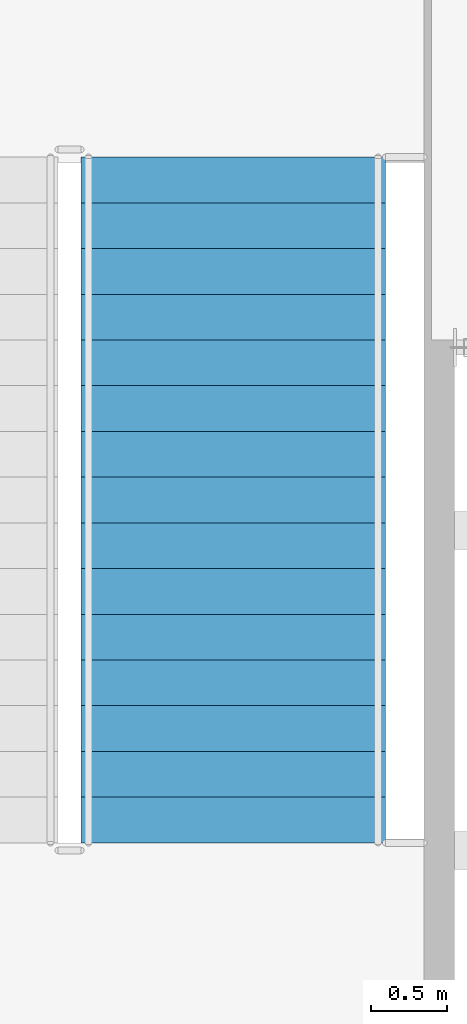
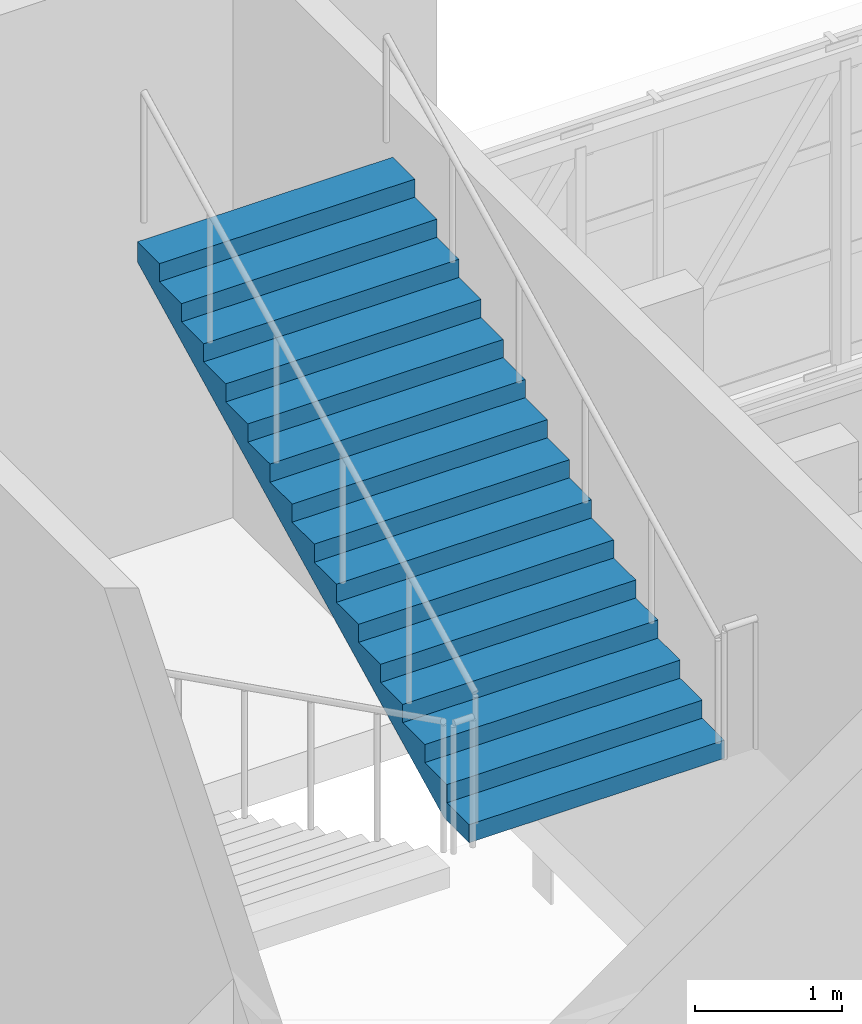
# One storey, part 61 of 91: 1 stair flight, 1 element without a shape of its own.
"""IFC4 building model written with IfcOpenShell, lengths in metres."""

from ifc_helpers import new_model, si_unit, direction, frame, origin, place, context, subcontext, project, spatial, faceted_brep, material, type_object, element, aggregate, save


model = new_model("IFC4")

# Units and contexts
model_context = context("Model", 3, precision=1e-05, world=origin(), true_north=direction((0.0, 1.0)))
body_context = subcontext(model_context, "Body", "Model", "MODEL_VIEW")
ifc_project = project(units=[si_unit("LENGTHUNIT", "METRE"), si_unit("AREAUNIT", "SQUARE_METRE"), si_unit("VOLUMEUNIT", "CUBIC_METRE"), si_unit("PLANEANGLEUNIT", "RADIAN"), si_unit("MASSUNIT", "GRAM", prefix="KILO")], contexts=[model_context])

# Site, building, storey
site_placement = place(None, origin())
site = spatial("IfcSite", under=ifc_project, at=site_placement, CompositionType="ELEMENT")
building_placement = place(site_placement, origin())
building = spatial("IfcBuilding", under=site, at=building_placement, Name="Kiln Court Media Centre", CompositionType="ELEMENT")
storey_placement = place(building_placement, frame((0.0, 0.0, 5.39990234375)))
storey = spatial("IfcBuildingStorey", under=building, at=storey_placement, Name="L01", CompositionType="ELEMENT", Elevation=5.39990234375)

# Stair, stair flight
ifc_material_1 = material(Name="Concrete C40/50", Category="concrete")
stair_type = type_object("IfcStairType", Name="Concrete C40/50 dog-leg stair 2000 wide, 150 riser", PredefinedType="HALF_TURN_STAIR", material=ifc_material_1)
stair_placement = place(storey_placement, origin())
stair = element("IfcStair", 1, at=stair_placement, inside=storey, type_object=stair_type, Name="ST-12 L01", PredefinedType="HALF_TURN_STAIR")
ifc_material_2 = material(Name="Concrete C40/50", Category="concrete")
stair_flight_type = type_object("IfcStairFlightType", Name="Concrete C40/50 stair flight 2000 wide, 150 riser, 300 going", PredefinedType="STRAIGHT", material=ifc_material_2)
stair_flight_placement = place(storey_placement, frame((99.35009765625, 59.89990234375, 2.400146484375), z_axis=(0.0, 0.0, 1.0), x_axis=(0.0, 1.0, 0.0)))
stair_flight = element("IfcStairFlight", 2, at=stair_flight_placement, type_object=stair_flight_type, Name="L01-ST-5011 flight 5023", NumberOfRisers=16, NumberOfTreads=15, PredefinedType="STRAIGHT", RiserHeight=0.15, TreadLength=0.3, context=body_context, shape_type="Brep", body=[
    faceted_brep([(0.335205078125, -1.0, 0.0), (4.5, -1.0, 2.08251953125), (4.5, -1.0, 2.25), (4.199951171875, -1.0, 2.25), (4.199951171875, -1.0, 2.10009765625), (3.89990234375, -1.0, 2.10009765625), (3.89990234375, -1.0, 1.949951171875), (3.60009765625, -1.0, 1.949951171875), (3.60009765625, -1.0, 1.800048828125), (3.300048828125, -1.0, 1.800048828125), (3.300048828125, -1.0, 1.64990234375), (3.0, -1.0, 1.64990234375), (3.0, -1.0, 1.5), (2.699951171875, -1.0, 1.5), (2.699951171875, -1.0, 1.35009765625), (2.39990234375, -1.0, 1.35009765625), (2.39990234375, -1.0, 1.199951171875), (2.10009765625, -1.0, 1.199951171875), (2.10009765625, -1.0, 1.050048828125), (1.800048828125, -1.0, 1.050048828125), (1.800048828125, -1.0, 0.89990234375), (1.5, -1.0, 0.89990234375), (1.5, -1.0, 0.75), (1.199951171875, -1.0, 0.75), (1.199951171875, -1.0, 0.60009765625), (0.89990234375, -1.0, 0.60009765625), (0.89990234375, -1.0, 0.449951171875), (0.60009765625, -1.0, 0.449951171875), (0.60009765625, -1.0, 0.300048828125), (0.300048828125, -1.0, 0.300048828125), (0.300048828125, -1.0, 0.14990234375), (0.0, -1.0, 0.14990234375), (0.0, -1.0, 0.0), (0.0, 1.0, 0.0), (0.0, 1.0, 0.14990234375), (0.300048828125, 1.0, 0.14990234375), (0.300048828125, 1.0, 0.300048828125), (0.60009765625, 1.0, 0.300048828125), (0.60009765625, 1.0, 0.449951171875), (0.89990234375, 1.0, 0.449951171875), (0.89990234375, 1.0, 0.60009765625), (1.199951171875, 1.0, 0.60009765625), (1.199951171875, 1.0, 0.75), (1.5, 1.0, 0.75), (1.5, 1.0, 0.89990234375), (1.800048828125, 1.0, 0.89990234375), (1.800048828125, 1.0, 1.050048828125), (2.10009765625, 1.0, 1.050048828125), (2.10009765625, 1.0, 1.199951171875), (2.39990234375, 1.0, 1.199951171875), (2.39990234375, 1.0, 1.35009765625), (2.699951171875, 1.0, 1.35009765625), (2.699951171875, 1.0, 1.5), (3.0, 1.0, 1.5), (3.0, 1.0, 1.64990234375), (3.300048828125, 1.0, 1.64990234375), (3.300048828125, 1.0, 1.800048828125), (3.60009765625, 1.0, 1.800048828125), (3.60009765625, 1.0, 1.949951171875), (3.89990234375, 1.0, 1.949951171875), (3.89990234375, 1.0, 2.10009765625), (4.199951171875, 1.0, 2.10009765625), (4.199951171875, 1.0, 2.25), (4.5, 1.0, 2.25), (4.5, 1.0, 2.08251953125), (0.335205078125, 1.0, 0.0), (4.5, 0.10009765625, 2.08251953125), (0.335205078125, 0.10009765625, 0.0), (4.5, 0.080078125, 2.08251953125), (0.335205078125, 0.080078125, 0.0), (4.5, 0.06005859375, 2.08251953125), (0.335205078125, 0.06005859375, 0.0), (4.5, 0.0400390625, 2.08251953125), (0.335205078125, 0.0400390625, 0.0), (4.5, 0.02001953125, 2.08251953125), (0.335205078125, 0.02001953125, 0.0), (4.5, 0.0, 2.08251953125), (0.335205078125, 0.0, 0.0), (4.5, -0.02001953125, 2.08251953125), (0.335205078125, -0.02001953125, 0.0), (4.5, -0.0400390625, 2.08251953125), (0.335205078125, -0.0400390625, 0.0), (4.5, -0.06005859375, 2.08251953125), (0.335205078125, -0.06005859375, 0.0), (4.5, -0.080078125, 2.08251953125), (0.335205078125, -0.080078125, 0.0), (4.5, -0.10009765625, 2.08251953125), (0.335205078125, -0.10009765625, 0.0), (4.5, 0.10009765625, 2.25), (4.5, 0.080078125, 2.25), (4.5, 0.06005859375, 2.25), (4.5, 0.0400390625, 2.25), (4.5, 0.02001953125, 2.25), (4.5, 0.0, 2.25), (4.5, -0.02001953125, 2.25), (4.5, -0.0400390625, 2.25), (4.5, -0.06005859375, 2.25), (4.5, -0.080078125, 2.25), (4.5, -0.10009765625, 2.25), (4.199951171875, 0.10009765625, 2.25), (4.199951171875, 0.080078125, 2.25), (4.199951171875, 0.06005859375, 2.25), (4.199951171875, 0.0400390625, 2.25), (4.199951171875, 0.02001953125, 2.25), (4.199951171875, 0.0, 2.25), (4.199951171875, -0.02001953125, 2.25), (4.199951171875, -0.0400390625, 2.25), (4.199951171875, -0.06005859375, 2.25), (4.199951171875, -0.080078125, 2.25), (4.199951171875, -0.10009765625, 2.25), (4.199951171875, 0.10009765625, 2.10009765625), (4.199951171875, 0.080078125, 2.10009765625), (4.199951171875, 0.06005859375, 2.10009765625), (4.199951171875, 0.0400390625, 2.10009765625), (4.199951171875, 0.02001953125, 2.10009765625), (4.199951171875, 0.0, 2.10009765625), (4.199951171875, -0.02001953125, 2.10009765625), (4.199951171875, -0.0400390625, 2.10009765625), (4.199951171875, -0.06005859375, 2.10009765625), (4.199951171875, -0.080078125, 2.10009765625), (4.199951171875, -0.10009765625, 2.10009765625), (3.89990234375, 0.10009765625, 2.10009765625), (3.89990234375, 0.080078125, 2.10009765625), (3.89990234375, 0.06005859375, 2.10009765625), (3.89990234375, 0.0400390625, 2.10009765625), (3.89990234375, 0.02001953125, 2.10009765625), (3.89990234375, 0.0, 2.10009765625), (3.89990234375, -0.02001953125, 2.10009765625), (3.89990234375, -0.0400390625, 2.10009765625), (3.89990234375, -0.06005859375, 2.10009765625), (3.89990234375, -0.080078125, 2.10009765625), (3.89990234375, -0.10009765625, 2.10009765625), (3.89990234375, 0.10009765625, 1.949951171875), (3.89990234375, 0.080078125, 1.949951171875), (3.89990234375, 0.06005859375, 1.949951171875), (3.89990234375, 0.0400390625, 1.949951171875), (3.89990234375, 0.02001953125, 1.949951171875), (3.89990234375, 0.0, 1.949951171875), (3.89990234375, -0.02001953125, 1.949951171875), (3.89990234375, -0.0400390625, 1.949951171875), (3.89990234375, -0.06005859375, 1.949951171875), (3.89990234375, -0.080078125, 1.949951171875), (3.89990234375, -0.10009765625, 1.949951171875), (3.60009765625, 0.10009765625, 1.949951171875), (3.60009765625, 0.080078125, 1.949951171875), (3.60009765625, 0.06005859375, 1.949951171875), (3.60009765625, 0.0400390625, 1.949951171875), (3.60009765625, 0.02001953125, 1.949951171875), (3.60009765625, 0.0, 1.949951171875), (3.60009765625, -0.02001953125, 1.949951171875), (3.60009765625, -0.0400390625, 1.949951171875), (3.60009765625, -0.06005859375, 1.949951171875), (3.60009765625, -0.080078125, 1.949951171875), (3.60009765625, -0.10009765625, 1.949951171875), (3.60009765625, 0.10009765625, 1.800048828125), (3.60009765625, 0.080078125, 1.800048828125), (3.60009765625, 0.06005859375, 1.800048828125), (3.60009765625, 0.0400390625, 1.800048828125), (3.60009765625, 0.02001953125, 1.800048828125), (3.60009765625, 0.0, 1.800048828125), (3.60009765625, -0.02001953125, 1.800048828125), (3.60009765625, -0.0400390625, 1.800048828125), (3.60009765625, -0.06005859375, 1.800048828125), (3.60009765625, -0.080078125, 1.800048828125), (3.60009765625, -0.10009765625, 1.800048828125), (3.300048828125, 0.10009765625, 1.800048828125), (3.300048828125, 0.080078125, 1.800048828125), (3.300048828125, 0.06005859375, 1.800048828125), (3.300048828125, 0.0400390625, 1.800048828125), (3.300048828125, 0.02001953125, 1.800048828125), (3.300048828125, 0.0, 1.800048828125), (3.300048828125, -0.02001953125, 1.800048828125), (3.300048828125, -0.0400390625, 1.800048828125), (3.300048828125, -0.06005859375, 1.800048828125), (3.300048828125, -0.080078125, 1.800048828125), (3.300048828125, -0.10009765625, 1.800048828125), (3.300048828125, 0.10009765625, 1.64990234375), (3.300048828125, 0.080078125, 1.64990234375), (3.300048828125, 0.06005859375, 1.64990234375), (3.300048828125, 0.0400390625, 1.64990234375), (3.300048828125, 0.02001953125, 1.64990234375), (3.300048828125, 0.0, 1.64990234375), (3.300048828125, -0.02001953125, 1.64990234375), (3.300048828125, -0.0400390625, 1.64990234375), (3.300048828125, -0.06005859375, 1.64990234375), (3.300048828125, -0.080078125, 1.64990234375), (3.300048828125, -0.10009765625, 1.64990234375), (3.0, 0.10009765625, 1.64990234375), (3.0, 0.080078125, 1.64990234375), (3.0, 0.06005859375, 1.64990234375), (3.0, 0.0400390625, 1.64990234375), (3.0, 0.02001953125, 1.64990234375), (3.0, 0.0, 1.64990234375), (3.0, -0.02001953125, 1.64990234375), (3.0, -0.0400390625, 1.64990234375), (3.0, -0.06005859375, 1.64990234375), (3.0, -0.080078125, 1.64990234375), (3.0, -0.10009765625, 1.64990234375), (3.0, 0.10009765625, 1.5), (3.0, 0.080078125, 1.5), (3.0, 0.06005859375, 1.5), (3.0, 0.0400390625, 1.5), (3.0, 0.02001953125, 1.5), (3.0, 0.0, 1.5), (3.0, -0.02001953125, 1.5), (3.0, -0.0400390625, 1.5), (3.0, -0.06005859375, 1.5), (3.0, -0.080078125, 1.5), (3.0, -0.10009765625, 1.5), (2.699951171875, 0.10009765625, 1.5), (2.699951171875, 0.080078125, 1.5), (2.699951171875, 0.06005859375, 1.5), (2.699951171875, 0.0400390625, 1.5), (2.699951171875, 0.02001953125, 1.5), (2.699951171875, 0.0, 1.5), (2.699951171875, -0.02001953125, 1.5), (2.699951171875, -0.0400390625, 1.5), (2.699951171875, -0.06005859375, 1.5), (2.699951171875, -0.080078125, 1.5), (2.699951171875, -0.10009765625, 1.5), (2.699951171875, 0.10009765625, 1.35009765625), (2.699951171875, 0.080078125, 1.35009765625), (2.699951171875, 0.06005859375, 1.35009765625), (2.699951171875, 0.0400390625, 1.35009765625), (2.699951171875, 0.02001953125, 1.35009765625), (2.699951171875, 0.0, 1.35009765625), (2.699951171875, -0.02001953125, 1.35009765625), (2.699951171875, -0.0400390625, 1.35009765625), (2.699951171875, -0.06005859375, 1.35009765625), (2.699951171875, -0.080078125, 1.35009765625), (2.699951171875, -0.10009765625, 1.35009765625), (2.39990234375, 0.10009765625, 1.35009765625), (2.39990234375, 0.080078125, 1.35009765625), (2.39990234375, 0.06005859375, 1.35009765625), (2.39990234375, 0.0400390625, 1.35009765625), (2.39990234375, 0.02001953125, 1.35009765625), (2.39990234375, 0.0, 1.35009765625), (2.39990234375, -0.02001953125, 1.35009765625), (2.39990234375, -0.0400390625, 1.35009765625), (2.39990234375, -0.06005859375, 1.35009765625), (2.39990234375, -0.080078125, 1.35009765625), (2.39990234375, -0.10009765625, 1.35009765625), (2.39990234375, 0.10009765625, 1.199951171875), (2.39990234375, 0.080078125, 1.199951171875), (2.39990234375, 0.06005859375, 1.199951171875), (2.39990234375, 0.0400390625, 1.199951171875), (2.39990234375, 0.02001953125, 1.199951171875), (2.39990234375, 0.0, 1.199951171875), (2.39990234375, -0.02001953125, 1.199951171875), (2.39990234375, -0.0400390625, 1.199951171875), (2.39990234375, -0.06005859375, 1.199951171875), (2.39990234375, -0.080078125, 1.199951171875), (2.39990234375, -0.10009765625, 1.199951171875), (2.10009765625, 0.10009765625, 1.199951171875), (2.10009765625, 0.080078125, 1.199951171875), (2.10009765625, 0.06005859375, 1.199951171875), (2.10009765625, 0.0400390625, 1.199951171875), (2.10009765625, 0.02001953125, 1.199951171875), (2.10009765625, 0.0, 1.199951171875), (2.10009765625, -0.02001953125, 1.199951171875), (2.10009765625, -0.0400390625, 1.199951171875), (2.10009765625, -0.06005859375, 1.199951171875), (2.10009765625, -0.080078125, 1.199951171875), (2.10009765625, -0.10009765625, 1.199951171875), (2.10009765625, 0.10009765625, 1.050048828125), (2.10009765625, 0.080078125, 1.050048828125), (2.10009765625, 0.06005859375, 1.050048828125), (2.10009765625, 0.0400390625, 1.050048828125), (2.10009765625, 0.02001953125, 1.050048828125), (2.10009765625, 0.0, 1.050048828125), (2.10009765625, -0.02001953125, 1.050048828125), (2.10009765625, -0.0400390625, 1.050048828125), (2.10009765625, -0.06005859375, 1.050048828125), (2.10009765625, -0.080078125, 1.050048828125), (2.10009765625, -0.10009765625, 1.050048828125), (1.800048828125, 0.10009765625, 1.050048828125), (1.800048828125, 0.080078125, 1.050048828125), (1.800048828125, 0.06005859375, 1.050048828125), (1.800048828125, 0.0400390625, 1.050048828125), (1.800048828125, 0.02001953125, 1.050048828125), (1.800048828125, 0.0, 1.050048828125), (1.800048828125, -0.02001953125, 1.050048828125), (1.800048828125, -0.0400390625, 1.050048828125), (1.800048828125, -0.06005859375, 1.050048828125), (1.800048828125, -0.080078125, 1.050048828125), (1.800048828125, -0.10009765625, 1.050048828125), (1.800048828125, 0.10009765625, 0.89990234375), (1.800048828125, 0.080078125, 0.89990234375), (1.800048828125, 0.06005859375, 0.89990234375), (1.800048828125, 0.0400390625, 0.89990234375), (1.800048828125, 0.02001953125, 0.89990234375), (1.800048828125, 0.0, 0.89990234375), (1.800048828125, -0.02001953125, 0.89990234375), (1.800048828125, -0.0400390625, 0.89990234375), (1.800048828125, -0.06005859375, 0.89990234375), (1.800048828125, -0.080078125, 0.89990234375), (1.800048828125, -0.10009765625, 0.89990234375), (1.5, 0.10009765625, 0.89990234375), (1.5, 0.080078125, 0.89990234375), (1.5, 0.06005859375, 0.89990234375), (1.5, 0.0400390625, 0.89990234375), (1.5, 0.02001953125, 0.89990234375), (1.5, 0.0, 0.89990234375), (1.5, -0.02001953125, 0.89990234375), (1.5, -0.0400390625, 0.89990234375), (1.5, -0.06005859375, 0.89990234375), (1.5, -0.080078125, 0.89990234375), (1.5, -0.10009765625, 0.89990234375), (1.5, 0.10009765625, 0.75), (1.5, 0.080078125, 0.75), (1.5, 0.06005859375, 0.75), (1.5, 0.0400390625, 0.75), (1.5, 0.02001953125, 0.75), (1.5, 0.0, 0.75), (1.5, -0.02001953125, 0.75), (1.5, -0.0400390625, 0.75), (1.5, -0.06005859375, 0.75), (1.5, -0.080078125, 0.75), (1.5, -0.10009765625, 0.75), (1.199951171875, 0.10009765625, 0.75), (1.199951171875, 0.080078125, 0.75), (1.199951171875, 0.06005859375, 0.75), (1.199951171875, 0.0400390625, 0.75), (1.199951171875, 0.02001953125, 0.75), (1.199951171875, 0.0, 0.75), (1.199951171875, -0.02001953125, 0.75), (1.199951171875, -0.0400390625, 0.75), (1.199951171875, -0.06005859375, 0.75), (1.199951171875, -0.080078125, 0.75), (1.199951171875, -0.10009765625, 0.75), (1.199951171875, 0.10009765625, 0.60009765625), (1.199951171875, 0.080078125, 0.60009765625), (1.199951171875, 0.06005859375, 0.60009765625), (1.199951171875, 0.0400390625, 0.60009765625), (1.199951171875, 0.02001953125, 0.60009765625), (1.199951171875, 0.0, 0.60009765625), (1.199951171875, -0.02001953125, 0.60009765625), (1.199951171875, -0.0400390625, 0.60009765625), (1.199951171875, -0.06005859375, 0.60009765625), (1.199951171875, -0.080078125, 0.60009765625), (1.199951171875, -0.10009765625, 0.60009765625), (0.89990234375, 0.10009765625, 0.60009765625), (0.89990234375, 0.080078125, 0.60009765625), (0.89990234375, 0.06005859375, 0.60009765625), (0.89990234375, 0.0400390625, 0.60009765625), (0.89990234375, 0.02001953125, 0.60009765625), (0.89990234375, 0.0, 0.60009765625), (0.89990234375, -0.02001953125, 0.60009765625), (0.89990234375, -0.0400390625, 0.60009765625), (0.89990234375, -0.06005859375, 0.60009765625), (0.89990234375, -0.080078125, 0.60009765625), (0.89990234375, -0.10009765625, 0.60009765625), (0.89990234375, 0.10009765625, 0.449951171875), (0.89990234375, 0.080078125, 0.449951171875), (0.89990234375, 0.06005859375, 0.449951171875), (0.89990234375, 0.0400390625, 0.449951171875), (0.89990234375, 0.02001953125, 0.449951171875), (0.89990234375, 0.0, 0.449951171875), (0.89990234375, -0.02001953125, 0.449951171875), (0.89990234375, -0.0400390625, 0.449951171875), (0.89990234375, -0.06005859375, 0.449951171875), (0.89990234375, -0.080078125, 0.449951171875), (0.89990234375, -0.10009765625, 0.449951171875), (0.60009765625, 0.10009765625, 0.449951171875), (0.60009765625, 0.080078125, 0.449951171875), (0.60009765625, 0.06005859375, 0.449951171875), (0.60009765625, 0.0400390625, 0.449951171875), (0.60009765625, 0.02001953125, 0.449951171875), (0.60009765625, 0.0, 0.449951171875), (0.60009765625, -0.02001953125, 0.449951171875), (0.60009765625, -0.0400390625, 0.449951171875), (0.60009765625, -0.06005859375, 0.449951171875), (0.60009765625, -0.080078125, 0.449951171875), (0.60009765625, -0.10009765625, 0.449951171875), (0.60009765625, 0.10009765625, 0.300048828125), (0.60009765625, 0.080078125, 0.300048828125), (0.60009765625, 0.06005859375, 0.300048828125), (0.60009765625, 0.0400390625, 0.300048828125), (0.60009765625, 0.02001953125, 0.300048828125), (0.60009765625, 0.0, 0.300048828125), (0.60009765625, -0.02001953125, 0.300048828125), (0.60009765625, -0.0400390625, 0.300048828125), (0.60009765625, -0.06005859375, 0.300048828125), (0.60009765625, -0.080078125, 0.300048828125), (0.60009765625, -0.10009765625, 0.300048828125), (0.300048828125, 0.10009765625, 0.300048828125), (0.300048828125, 0.080078125, 0.300048828125), (0.300048828125, 0.06005859375, 0.300048828125), (0.300048828125, 0.0400390625, 0.300048828125), (0.300048828125, 0.02001953125, 0.300048828125), (0.300048828125, 0.0, 0.300048828125), (0.300048828125, -0.02001953125, 0.300048828125), (0.300048828125, -0.0400390625, 0.300048828125), (0.300048828125, -0.06005859375, 0.300048828125), (0.300048828125, -0.080078125, 0.300048828125), (0.300048828125, -0.10009765625, 0.300048828125), (0.300048828125, 0.10009765625, 0.14990234375), (0.300048828125, 0.080078125, 0.14990234375), (0.300048828125, 0.06005859375, 0.14990234375), (0.300048828125, 0.0400390625, 0.14990234375), (0.300048828125, 0.02001953125, 0.14990234375), (0.300048828125, 0.0, 0.14990234375), (0.300048828125, -0.02001953125, 0.14990234375), (0.300048828125, -0.0400390625, 0.14990234375), (0.300048828125, -0.06005859375, 0.14990234375), (0.300048828125, -0.080078125, 0.14990234375), (0.300048828125, -0.10009765625, 0.14990234375), (0.0, 0.10009765625, 0.14990234375), (0.0, 0.080078125, 0.14990234375), (0.0, 0.06005859375, 0.14990234375), (0.0, 0.0400390625, 0.14990234375), (0.0, 0.02001953125, 0.14990234375), (0.0, 0.0, 0.14990234375), (0.0, -0.02001953125, 0.14990234375), (0.0, -0.0400390625, 0.14990234375), (0.0, -0.06005859375, 0.14990234375), (0.0, -0.080078125, 0.14990234375), (0.0, -0.10009765625, 0.14990234375), (0.0, 0.10009765625, 0.0), (0.0, 0.080078125, 0.0), (0.0, 0.06005859375, 0.0), (0.0, 0.0400390625, 0.0), (0.0, 0.02001953125, 0.0), (0.0, 0.0, 0.0), (0.0, -0.02001953125, 0.0), (0.0, -0.0400390625, 0.0), (0.0, -0.06005859375, 0.0), (0.0, -0.080078125, 0.0), (0.0, -0.10009765625, 0.0)], [[[0, 1, 2, 3, 4, 5, 6, 7, 8, 9, 10, 11, 12, 13, 14, 15, 16, 17, 18, 19, 20, 21, 22, 23, 24, 25, 26, 27, 28, 29, 30, 31, 32]], [[33, 34, 35, 36, 37, 38, 39, 40, 41, 42, 43, 44, 45, 46, 47, 48, 49, 50, 51, 52, 53, 54, 55, 56, 57, 58, 59, 60, 61, 62, 63, 64, 65]], [[65, 64, 66, 67]], [[67, 66, 68, 69]], [[69, 68, 70, 71]], [[71, 70, 72, 73]], [[73, 72, 74, 75]], [[75, 74, 76, 77]], [[77, 76, 78, 79]], [[79, 78, 80, 81]], [[81, 80, 82, 83]], [[83, 82, 84, 85]], [[85, 84, 86, 87]], [[87, 86, 1, 0]], [[64, 63, 88, 66]], [[66, 88, 89, 68]], [[68, 89, 90, 70]], [[70, 90, 91, 72]], [[72, 91, 92, 74]], [[74, 92, 93, 76]], [[76, 93, 94, 78]], [[78, 94, 95, 80]], [[80, 95, 96, 82]], [[82, 96, 97, 84]], [[84, 97, 98, 86]], [[86, 98, 2, 1]], [[63, 62, 99, 88]], [[88, 99, 100, 89]], [[89, 100, 101, 90]], [[90, 101, 102, 91]], [[91, 102, 103, 92]], [[92, 103, 104, 93]], [[93, 104, 105, 94]], [[94, 105, 106, 95]], [[95, 106, 107, 96]], [[96, 107, 108, 97]], [[97, 108, 109, 98]], [[98, 109, 3, 2]], [[62, 61, 110, 99]], [[99, 110, 111, 100]], [[100, 111, 112, 101]], [[101, 112, 113, 102]], [[102, 113, 114, 103]], [[103, 114, 115, 104]], [[104, 115, 116, 105]], [[105, 116, 117, 106]], [[106, 117, 118, 107]], [[107, 118, 119, 108]], [[108, 119, 120, 109]], [[109, 120, 4, 3]], [[61, 60, 121, 110]], [[110, 121, 122, 111]], [[111, 122, 123, 112]], [[112, 123, 124, 113]], [[113, 124, 125, 114]], [[114, 125, 126, 115]], [[115, 126, 127, 116]], [[116, 127, 128, 117]], [[117, 128, 129, 118]], [[118, 129, 130, 119]], [[119, 130, 131, 120]], [[120, 131, 5, 4]], [[60, 59, 132, 121]], [[121, 132, 133, 122]], [[122, 133, 134, 123]], [[123, 134, 135, 124]], [[124, 135, 136, 125]], [[125, 136, 137, 126]], [[126, 137, 138, 127]], [[127, 138, 139, 128]], [[128, 139, 140, 129]], [[129, 140, 141, 130]], [[130, 141, 142, 131]], [[131, 142, 6, 5]], [[59, 58, 143, 132]], [[132, 143, 144, 133]], [[133, 144, 145, 134]], [[134, 145, 146, 135]], [[135, 146, 147, 136]], [[136, 147, 148, 137]], [[137, 148, 149, 138]], [[138, 149, 150, 139]], [[139, 150, 151, 140]], [[140, 151, 152, 141]], [[141, 152, 153, 142]], [[142, 153, 7, 6]], [[58, 57, 154, 143]], [[143, 154, 155, 144]], [[144, 155, 156, 145]], [[145, 156, 157, 146]], [[146, 157, 158, 147]], [[147, 158, 159, 148]], [[148, 159, 160, 149]], [[149, 160, 161, 150]], [[150, 161, 162, 151]], [[151, 162, 163, 152]], [[152, 163, 164, 153]], [[153, 164, 8, 7]], [[57, 56, 165, 154]], [[154, 165, 166, 155]], [[155, 166, 167, 156]], [[156, 167, 168, 157]], [[157, 168, 169, 158]], [[158, 169, 170, 159]], [[159, 170, 171, 160]], [[160, 171, 172, 161]], [[161, 172, 173, 162]], [[162, 173, 174, 163]], [[163, 174, 175, 164]], [[164, 175, 9, 8]], [[56, 55, 176, 165]], [[165, 176, 177, 166]], [[166, 177, 178, 167]], [[167, 178, 179, 168]], [[168, 179, 180, 169]], [[169, 180, 181, 170]], [[170, 181, 182, 171]], [[171, 182, 183, 172]], [[172, 183, 184, 173]], [[173, 184, 185, 174]], [[174, 185, 186, 175]], [[175, 186, 10, 9]], [[55, 54, 187, 176]], [[176, 187, 188, 177]], [[177, 188, 189, 178]], [[178, 189, 190, 179]], [[179, 190, 191, 180]], [[180, 191, 192, 181]], [[181, 192, 193, 182]], [[182, 193, 194, 183]], [[183, 194, 195, 184]], [[184, 195, 196, 185]], [[185, 196, 197, 186]], [[186, 197, 11, 10]], [[54, 53, 198, 187]], [[187, 198, 199, 188]], [[188, 199, 200, 189]], [[189, 200, 201, 190]], [[190, 201, 202, 191]], [[191, 202, 203, 192]], [[192, 203, 204, 193]], [[193, 204, 205, 194]], [[194, 205, 206, 195]], [[195, 206, 207, 196]], [[196, 207, 208, 197]], [[197, 208, 12, 11]], [[53, 52, 209, 198]], [[198, 209, 210, 199]], [[199, 210, 211, 200]], [[200, 211, 212, 201]], [[201, 212, 213, 202]], [[202, 213, 214, 203]], [[203, 214, 215, 204]], [[204, 215, 216, 205]], [[205, 216, 217, 206]], [[206, 217, 218, 207]], [[207, 218, 219, 208]], [[208, 219, 13, 12]], [[52, 51, 220, 209]], [[209, 220, 221, 210]], [[210, 221, 222, 211]], [[211, 222, 223, 212]], [[212, 223, 224, 213]], [[213, 224, 225, 214]], [[214, 225, 226, 215]], [[215, 226, 227, 216]], [[216, 227, 228, 217]], [[217, 228, 229, 218]], [[218, 229, 230, 219]], [[219, 230, 14, 13]], [[51, 50, 231, 220]], [[220, 231, 232, 221]], [[221, 232, 233, 222]], [[222, 233, 234, 223]], [[223, 234, 235, 224]], [[224, 235, 236, 225]], [[225, 236, 237, 226]], [[226, 237, 238, 227]], [[227, 238, 239, 228]], [[228, 239, 240, 229]], [[229, 240, 241, 230]], [[230, 241, 15, 14]], [[50, 49, 242, 231]], [[231, 242, 243, 232]], [[232, 243, 244, 233]], [[233, 244, 245, 234]], [[234, 245, 246, 235]], [[235, 246, 247, 236]], [[236, 247, 248, 237]], [[237, 248, 249, 238]], [[238, 249, 250, 239]], [[239, 250, 251, 240]], [[240, 251, 252, 241]], [[241, 252, 16, 15]], [[49, 48, 253, 242]], [[242, 253, 254, 243]], [[243, 254, 255, 244]], [[244, 255, 256, 245]], [[245, 256, 257, 246]], [[246, 257, 258, 247]], [[247, 258, 259, 248]], [[248, 259, 260, 249]], [[249, 260, 261, 250]], [[250, 261, 262, 251]], [[251, 262, 263, 252]], [[252, 263, 17, 16]], [[48, 47, 264, 253]], [[253, 264, 265, 254]], [[254, 265, 266, 255]], [[255, 266, 267, 256]], [[256, 267, 268, 257]], [[257, 268, 269, 258]], [[258, 269, 270, 259]], [[259, 270, 271, 260]], [[260, 271, 272, 261]], [[261, 272, 273, 262]], [[262, 273, 274, 263]], [[263, 274, 18, 17]], [[47, 46, 275, 264]], [[264, 275, 276, 265]], [[265, 276, 277, 266]], [[266, 277, 278, 267]], [[267, 278, 279, 268]], [[268, 279, 280, 269]], [[269, 280, 281, 270]], [[270, 281, 282, 271]], [[271, 282, 283, 272]], [[272, 283, 284, 273]], [[273, 284, 285, 274]], [[274, 285, 19, 18]], [[46, 45, 286, 275]], [[275, 286, 287, 276]], [[276, 287, 288, 277]], [[277, 288, 289, 278]], [[278, 289, 290, 279]], [[279, 290, 291, 280]], [[280, 291, 292, 281]], [[281, 292, 293, 282]], [[282, 293, 294, 283]], [[283, 294, 295, 284]], [[284, 295, 296, 285]], [[285, 296, 20, 19]], [[45, 44, 297, 286]], [[286, 297, 298, 287]], [[287, 298, 299, 288]], [[288, 299, 300, 289]], [[289, 300, 301, 290]], [[290, 301, 302, 291]], [[291, 302, 303, 292]], [[292, 303, 304, 293]], [[293, 304, 305, 294]], [[294, 305, 306, 295]], [[295, 306, 307, 296]], [[296, 307, 21, 20]], [[44, 43, 308, 297]], [[297, 308, 309, 298]], [[298, 309, 310, 299]], [[299, 310, 311, 300]], [[300, 311, 312, 301]], [[301, 312, 313, 302]], [[302, 313, 314, 303]], [[303, 314, 315, 304]], [[304, 315, 316, 305]], [[305, 316, 317, 306]], [[306, 317, 318, 307]], [[307, 318, 22, 21]], [[43, 42, 319, 308]], [[308, 319, 320, 309]], [[309, 320, 321, 310]], [[310, 321, 322, 311]], [[311, 322, 323, 312]], [[312, 323, 324, 313]], [[313, 324, 325, 314]], [[314, 325, 326, 315]], [[315, 326, 327, 316]], [[316, 327, 328, 317]], [[317, 328, 329, 318]], [[318, 329, 23, 22]], [[42, 41, 330, 319]], [[319, 330, 331, 320]], [[320, 331, 332, 321]], [[321, 332, 333, 322]], [[322, 333, 334, 323]], [[323, 334, 335, 324]], [[324, 335, 336, 325]], [[325, 336, 337, 326]], [[326, 337, 338, 327]], [[327, 338, 339, 328]], [[328, 339, 340, 329]], [[329, 340, 24, 23]], [[41, 40, 341, 330]], [[330, 341, 342, 331]], [[331, 342, 343, 332]], [[332, 343, 344, 333]], [[333, 344, 345, 334]], [[334, 345, 346, 335]], [[335, 346, 347, 336]], [[336, 347, 348, 337]], [[337, 348, 349, 338]], [[338, 349, 350, 339]], [[339, 350, 351, 340]], [[340, 351, 25, 24]], [[40, 39, 352, 341]], [[341, 352, 353, 342]], [[342, 353, 354, 343]], [[343, 354, 355, 344]], [[344, 355, 356, 345]], [[345, 356, 357, 346]], [[346, 357, 358, 347]], [[347, 358, 359, 348]], [[348, 359, 360, 349]], [[349, 360, 361, 350]], [[350, 361, 362, 351]], [[351, 362, 26, 25]], [[39, 38, 363, 352]], [[352, 363, 364, 353]], [[353, 364, 365, 354]], [[354, 365, 366, 355]], [[355, 366, 367, 356]], [[356, 367, 368, 357]], [[357, 368, 369, 358]], [[358, 369, 370, 359]], [[359, 370, 371, 360]], [[360, 371, 372, 361]], [[361, 372, 373, 362]], [[362, 373, 27, 26]], [[38, 37, 374, 363]], [[363, 374, 375, 364]], [[364, 375, 376, 365]], [[365, 376, 377, 366]], [[366, 377, 378, 367]], [[367, 378, 379, 368]], [[368, 379, 380, 369]], [[369, 380, 381, 370]], [[370, 381, 382, 371]], [[371, 382, 383, 372]], [[372, 383, 384, 373]], [[373, 384, 28, 27]], [[37, 36, 385, 374]], [[374, 385, 386, 375]], [[375, 386, 387, 376]], [[376, 387, 388, 377]], [[377, 388, 389, 378]], [[378, 389, 390, 379]], [[379, 390, 391, 380]], [[380, 391, 392, 381]], [[381, 392, 393, 382]], [[382, 393, 394, 383]], [[383, 394, 395, 384]], [[384, 395, 29, 28]], [[36, 35, 396, 385]], [[385, 396, 397, 386]], [[386, 397, 398, 387]], [[387, 398, 399, 388]], [[388, 399, 400, 389]], [[389, 400, 401, 390]], [[390, 401, 402, 391]], [[391, 402, 403, 392]], [[392, 403, 404, 393]], [[393, 404, 405, 394]], [[394, 405, 406, 395]], [[395, 406, 30, 29]], [[35, 34, 407, 396]], [[396, 407, 408, 397]], [[397, 408, 409, 398]], [[398, 409, 410, 399]], [[399, 410, 411, 400]], [[400, 411, 412, 401]], [[401, 412, 413, 402]], [[402, 413, 414, 403]], [[403, 414, 415, 404]], [[404, 415, 416, 405]], [[405, 416, 417, 406]], [[406, 417, 31, 30]], [[34, 33, 418, 407]], [[407, 418, 419, 408]], [[408, 419, 420, 409]], [[409, 420, 421, 410]], [[410, 421, 422, 411]], [[411, 422, 423, 412]], [[412, 423, 424, 413]], [[413, 424, 425, 414]], [[414, 425, 426, 415]], [[415, 426, 427, 416]], [[416, 427, 428, 417]], [[417, 428, 32, 31]], [[33, 65, 67, 418]], [[418, 67, 69, 419]], [[419, 69, 71, 420]], [[420, 71, 73, 421]], [[421, 73, 75, 422]], [[422, 75, 77, 423]], [[423, 77, 79, 424]], [[424, 79, 81, 425]], [[425, 81, 83, 426]], [[426, 83, 85, 427]], [[427, 85, 87, 428]], [[428, 87, 0, 32]]]),
])
aggregate(stair, [stair_flight])

save(model, "model.ifc")
